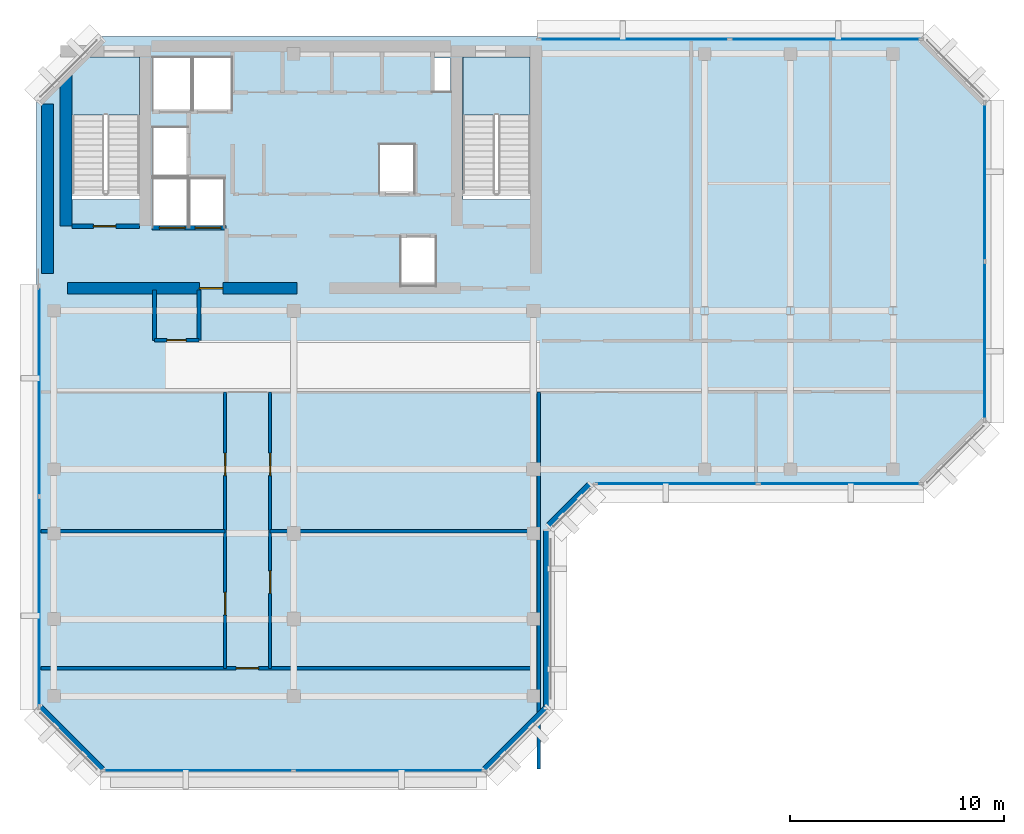
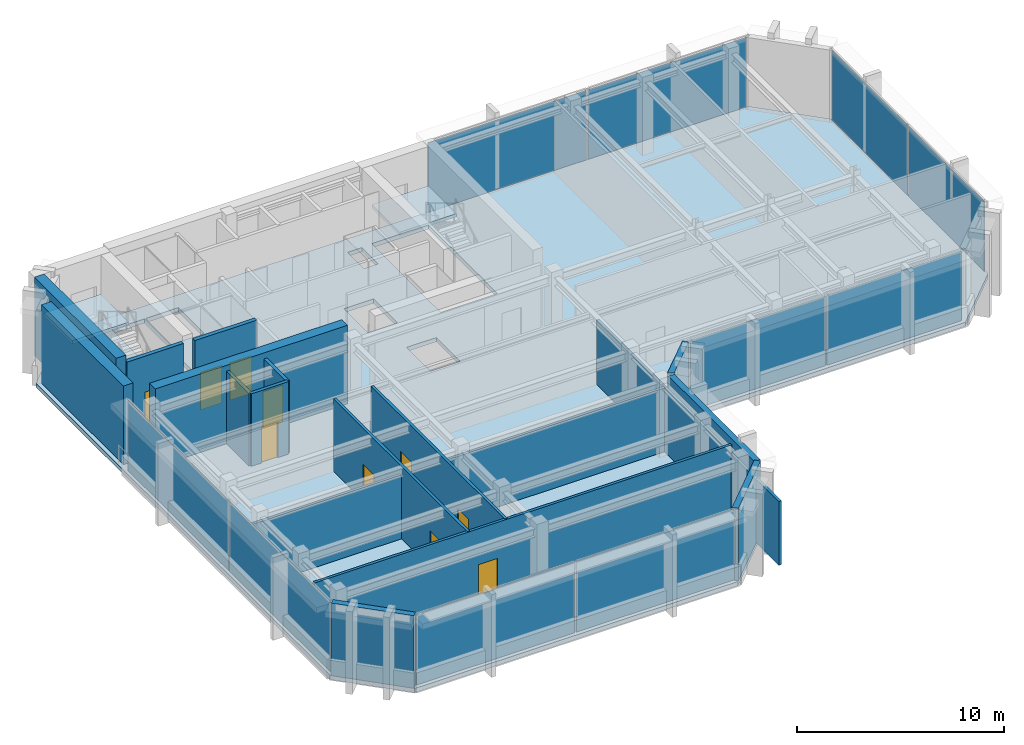
# One storey, part 4 of 9: 18 walls, 10 doors, 10 plates, 3 slabs, 10 openings, 7 elements without a shape of their own.
"""IFC4 building model written with IfcOpenShell, lengths in metres."""

from ifc_helpers import new_model, si_unit, direction, frame, frame_2d, origin, origin_2d, place, context, subcontext, project, spatial, polyline, rectangle, outline, extrude, material, layer, layer_set, type_object, element, fill, aggregate, save


model = new_model("IFC4")

# Units and contexts
model_context = context("Model", 3, precision=1e-05, world=origin(), true_north=direction((0.0, 1.0)))
body_context = subcontext(model_context, "Body", "Model", "MODEL_VIEW")
ifc_project = project(units=[si_unit("LENGTHUNIT", "METRE"), si_unit("AREAUNIT", "SQUARE_METRE"), si_unit("VOLUMEUNIT", "CUBIC_METRE"), si_unit("PLANEANGLEUNIT", "RADIAN"), si_unit("MASSUNIT", "GRAM", prefix="KILO")], contexts=[model_context])

# Site, building, storey
site_placement = place(None, origin())
site = spatial("IfcSite", under=ifc_project, at=site_placement, CompositionType="ELEMENT")
building_placement = place(site_placement, origin())
building = spatial("IfcBuilding", under=site, at=building_placement, Name="Kefirva Bronze Tower", CompositionType="ELEMENT")
storey_placement = place(building_placement, frame((0.0, 0.0, 361.35009765625)))
storey = spatial("IfcBuildingStorey", under=building, at=storey_placement, Name="L88", CompositionType="ELEMENT", Elevation=361.35009765625)

# Stair, slab
ifc_material_1 = material(Name="Concrete C40/50", Category="concrete")
stair_type = type_object("IfcStairType", Name="RC Dogleg Protected Stair 28R", PredefinedType="HALF_TURN_STAIR", material=ifc_material_1)
stair_1_placement = place(storey_placement, origin())
stair_1 = element("IfcStair", 1, at=stair_1_placement, inside=storey, type_object=stair_type, Name="L88 Protected Exit Stair 1", PredefinedType="HALF_TURN_STAIR")
ifc_layer_1 = layer(ifc_material_1, 0.199951171875, Name="Concrete C40/50")
ifc_layer_set_1 = layer_set([ifc_layer_1], Name="Concrete C40/50")
slab_type_1 = type_object("IfcSlabType", Name="RC Stair Landing Slab 200mm", PredefinedType="LANDING", material=ifc_layer_set_1)
slab_1_placement = place(storey_placement, frame((0.0, 0.0, 2.10986328125)))
slab_1 = element("IfcSlab", 2, at=slab_1_placement, type_object=slab_type_1, Name="ST-1 landing 1", PredefinedType="LANDING", context=body_context, shape_type="SweptSolid", body=[
    extrude(outline(polyline([(4.800048828125, 42.340087890625), (4.800048828125, 45.050048828125), (1.64990234375, 45.050048828125), (1.64990234375, 42.340087890625), (4.800048828125, 42.340087890625)])), origin(), (0.0, 0.0, 1.0), 0.199951171875),
])
aggregate(stair_1, [slab_1])

stair_2_placement = place(storey_placement, origin())
stair_2 = element("IfcStair", 3, at=stair_2_placement, inside=storey, type_object=stair_type, Name="L88 Protected Exit Stair 2", PredefinedType="HALF_TURN_STAIR")
slab_2_placement = place(storey_placement, frame((0.0, 0.0, 2.10986328125)))
slab_2 = element("IfcSlab", 4, at=slab_2_placement, type_object=slab_type_1, Name="ST-2 landing 1", PredefinedType="LANDING", context=body_context, shape_type="SweptSolid", body=[
    extrude(outline(polyline([(23.050048828125, 42.340087890625), (23.050048828125, 45.050048828125), (19.89990234375, 45.050048828125), (19.89990234375, 42.340087890625), (23.050048828125, 42.340087890625)])), origin(), (0.0, 0.0, 1.0), 0.199951171875),
])
aggregate(stair_2, [slab_2])

# Slab
ifc_layer_2 = layer(ifc_material_1, 0.25, Name="Concrete C40/50")
ifc_layer_set_2 = layer_set([ifc_layer_2], Name="Concrete C40/50")
slab_type_2 = type_object("IfcSlabType", Name="RC Tower Floor Slab 250mm", PredefinedType="FLOOR", material=ifc_layer_set_2)
slab_3_placement = place(storey_placement, frame((0.0, 0.0, -0.25)))
element("IfcSlab", 5, at=slab_3_placement, inside=storey, type_object=slab_type_2, Name="L88 Structural Floor Slab", PredefinedType="FLOOR", context=body_context, shape_type="SweptSolid", body=[
    extrude(outline(polyline([(0.0, 14.60009765625), (0.0, 43.0), (1.64990234375, 44.64990234375), (1.64990234375, 38.39990234375), (4.800048828125, 38.39990234375), (4.800048828125, 45.050048828125), (2.050048828125, 45.050048828125), (3.0, 46.0), (41.39990234375, 46.0), (44.39990234375, 43.0), (44.39990234375, 28.0), (41.39990234375, 25.0), (26.0, 25.0), (24.0, 23.0), (24.0, 14.60009765625), (21.0, 11.60009765625), (3.0, 11.60009765625), (0.0, 14.60009765625)]), holes=[polyline([(23.050048828125, 45.050048828125), (19.89990234375, 45.050048828125), (19.89990234375, 38.39990234375), (23.050048828125, 38.39990234375), (23.050048828125, 45.050048828125)]), polyline([(19.320068359375, 43.419921875), (19.320068359375, 45.0), (18.52001953125, 45.0), (18.52001953125, 43.419921875), (19.320068359375, 43.419921875)]), polyline([(18.64990234375, 36.64990234375), (17.0, 36.64990234375), (17.0, 34.35009765625), (18.64990234375, 34.35009765625), (18.64990234375, 36.64990234375)]), polyline([(17.64990234375, 38.679931640625), (17.64990234375, 40.97998046875), (16.0, 40.97998046875), (16.0, 38.679931640625), (17.64990234375, 38.679931640625)]), polyline([(9.1201171875, 42.550048828125), (9.1201171875, 45.050048828125), (7.300048828125, 45.050048828125), (7.300048828125, 42.550048828125), (9.1201171875, 42.550048828125)]), polyline([(8.780029296875, 39.39990234375), (7.139892578125, 39.39990234375), (7.139892578125, 37.10009765625), (8.780029296875, 37.10009765625), (8.780029296875, 39.39990234375)]), polyline([(7.239990234375, 45.050048828125), (5.419921875, 45.050048828125), (5.419921875, 42.550048828125), (7.239990234375, 42.550048828125), (7.239990234375, 45.050048828125)]), polyline([(7.06005859375, 39.47998046875), (7.06005859375, 41.780029296875), (5.419921875, 41.780029296875), (5.419921875, 39.47998046875), (7.06005859375, 39.47998046875)]), polyline([(7.06005859375, 39.39990234375), (5.419921875, 39.39990234375), (5.419921875, 37.10009765625), (7.06005859375, 37.10009765625), (7.06005859375, 39.39990234375)])]), origin(), (0.0, 0.0, 1.0), 0.25),
])

# Curtain wall, plates
ifc_material_2 = material(Name="Bronze anodised aluminium", Category="aluminium")
ifc_layer_3 = layer(ifc_material_2, 0.219970703125, Name="Bronze anodised aluminium")
ifc_layer_set_3 = layer_set([ifc_layer_3], Name="Bronze anodised aluminium")
curtain_wall_type = type_object("IfcCurtainWallType", Name="Slanted Crown Faceted Bronze Curtain Wall", PredefinedType="USERDEFINED", material=ifc_layer_set_3)
curtain_wall_1_placement = place(storey_placement, origin())
curtain_wall_1 = element("IfcCurtainWall", 6, at=curtain_wall_1_placement, inside=storey, type_object=curtain_wall_type, Name="L88 Curtain Wall 1", ObjectType="UNITISED CURTAIN WALL", PredefinedType="USERDEFINED")
ifc_material_3 = material(Name="Laminated low-E double glazing", Category="glass")
ifc_layer_4 = layer(ifc_material_3, 0.031982421875, Name="Laminated low-E double glazing")
ifc_layer_set_4 = layer_set([ifc_layer_4], Name="Laminated low-E double glazing")
plate_type = type_object("IfcPlateType", Name="Solar-Control Low-E Vision Panel 32mm", PredefinedType="CURTAIN_PANEL", material=ifc_layer_set_4)
plate_1_placement = place(storey_placement, frame((7.550048828125, 11.719970703125, 0.08984375), z_axis=(0.0, 0.0, 1.0), x_axis=(1.0, 0.0, 0.0)))
plate_1 = element("IfcPlate", 7, at=plate_1_placement, type_object=plate_type, Name="CW-07 panel 1.1", PredefinedType="CURTAIN_PANEL", context=body_context, shape_type="SweptSolid", body=[
    extrude(rectangle(XDim=8.81005859375, YDim=0.031982421875, at=origin_2d()), origin(), (0.0, 0.0, 1.0), 4.090087890625),
])
plate_2_placement = place(storey_placement, frame((16.449951171875, 11.719970703125, 0.08984375), z_axis=(0.0, 0.0, 1.0), x_axis=(1.0, 0.0, 0.0)))
plate_2 = element("IfcPlate", 8, at=plate_2_placement, type_object=plate_type, Name="CW-07 panel 2.1", PredefinedType="CURTAIN_PANEL", context=body_context, shape_type="SweptSolid", body=[
    extrude(rectangle(XDim=8.81005859375, YDim=0.031982421875, at=origin_2d()), origin(), (0.0, 0.0, 1.0), 4.090087890625),
])
aggregate(curtain_wall_1, [plate_1, plate_2])

curtain_wall_2_placement = place(storey_placement, origin())
curtain_wall_2 = element("IfcCurtainWall", 9, at=curtain_wall_2_placement, inside=storey, type_object=curtain_wall_type, Name="L88 Curtain Wall 2", ObjectType="UNITISED CURTAIN WALL", PredefinedType="USERDEFINED")
plate_3_placement = place(storey_placement, frame((29.89990234375, 25.1201171875, 0.08984375), z_axis=(0.0, 0.0, 1.0), x_axis=(1.0, 0.0, 0.0)))
plate_3 = element("IfcPlate", 10, at=plate_3_placement, type_object=plate_type, Name="CW-07 panel 1.1", PredefinedType="CURTAIN_PANEL", context=body_context, shape_type="SweptSolid", body=[
    extrude(rectangle(XDim=7.510009765625, YDim=0.031982421875, at=origin_2d()), origin(), (0.0, 0.0, 1.0), 4.090087890625),
])
plate_4_placement = place(storey_placement, frame((37.5, 25.1201171875, 0.08984375), z_axis=(0.0, 0.0, 1.0), x_axis=(1.0, 0.0, 0.0)))
plate_4 = element("IfcPlate", 11, at=plate_4_placement, type_object=plate_type, Name="CW-07 panel 2.1", PredefinedType="CURTAIN_PANEL", context=body_context, shape_type="SweptSolid", body=[
    extrude(rectangle(XDim=7.510009765625, YDim=0.031982421875, at=origin_2d()), origin(), (0.0, 0.0, 1.0), 4.090087890625),
])
aggregate(curtain_wall_2, [plate_3, plate_4])

curtain_wall_3_placement = place(storey_placement, origin())
curtain_wall_3 = element("IfcCurtainWall", 12, at=curtain_wall_3_placement, inside=storey, type_object=curtain_wall_type, Name="L88 Curtain Wall 3", ObjectType="UNITISED CURTAIN WALL", PredefinedType="USERDEFINED")
plate_5_placement = place(storey_placement, frame((44.280029296875, 31.800048828125, 0.08984375), z_axis=(0.0, 0.0, 1.0), x_axis=(0.0, 1.0, 0.0)))
plate_5 = element("IfcPlate", 13, at=plate_5_placement, type_object=plate_type, Name="CW-07 panel 1.1", PredefinedType="CURTAIN_PANEL", context=body_context, shape_type="SweptSolid", body=[
    extrude(rectangle(XDim=7.31005859375, YDim=0.031982421875, at=origin_2d()), origin(), (0.0, 0.0, 1.0), 4.090087890625),
])
plate_6_placement = place(storey_placement, frame((44.280029296875, 39.199951171875, 0.08984375), z_axis=(0.0, 0.0, 1.0), x_axis=(0.0, 1.0, 0.0)))
plate_6 = element("IfcPlate", 14, at=plate_6_placement, type_object=plate_type, Name="CW-07 panel 2.1", PredefinedType="CURTAIN_PANEL", context=body_context, shape_type="SweptSolid", body=[
    extrude(rectangle(XDim=7.31005859375, YDim=0.031982421875, at=origin_2d()), origin(), (0.0, 0.0, 1.0), 4.090087890625),
])
aggregate(curtain_wall_3, [plate_5, plate_6])

curtain_wall_4_placement = place(storey_placement, origin())
curtain_wall_4 = element("IfcCurtainWall", 15, at=curtain_wall_4_placement, inside=storey, type_object=curtain_wall_type, Name="L88 Curtain Wall 4", ObjectType="UNITISED CURTAIN WALL", PredefinedType="USERDEFINED")
plate_7_placement = place(storey_placement, frame((36.83740234375, 45.8798828125, 0.08984375), z_axis=(0.0, 0.0, 1.0), x_axis=(-1.0, 0.0, 0.0)))
plate_7 = element("IfcPlate", 16, at=plate_7_placement, type_object=plate_type, Name="CW-07 panel 1.1", PredefinedType="CURTAIN_PANEL", context=body_context, shape_type="SweptSolid", body=[
    extrude(rectangle(XDim=8.8349609375, YDim=0.031982421875, at=origin_2d()), origin(), (0.0, 0.0, 1.0), 4.090087890625),
])
plate_8_placement = place(storey_placement, frame((27.91259765625, 45.8798828125, 0.08984375), z_axis=(0.0, 0.0, 1.0), x_axis=(-1.0, 0.0, 0.0)))
plate_8 = element("IfcPlate", 17, at=plate_8_placement, type_object=plate_type, Name="CW-07 panel 2.1", PredefinedType="CURTAIN_PANEL", context=body_context, shape_type="SweptSolid", body=[
    extrude(rectangle(XDim=8.8349609375, YDim=0.031982421875, at=origin_2d()), origin(), (0.0, 0.0, 1.0), 4.090087890625),
])
aggregate(curtain_wall_4, [plate_7, plate_8])

curtain_wall_5_placement = place(storey_placement, origin())
curtain_wall_5 = element("IfcCurtainWall", 18, at=curtain_wall_5_placement, inside=storey, type_object=curtain_wall_type, Name="L88 Curtain Wall 5", ObjectType="UNITISED CURTAIN WALL", PredefinedType="USERDEFINED")
plate_9_placement = place(storey_placement, frame((0.1201171875, 29.4375, 0.08984375), z_axis=(0.0, 0.0, 1.0), x_axis=(0.0, -1.0, 0.0)))
plate_9 = element("IfcPlate", 19, at=plate_9_placement, type_object=plate_type, Name="CW-07 panel 1.1", PredefinedType="CURTAIN_PANEL", context=body_context, shape_type="SweptSolid", body=[
    extrude(rectangle(XDim=9.735107421875, YDim=0.031982421875, at=origin_2d()), origin(), (0.0, 0.0, 1.0), 4.090087890625),
])
plate_10_placement = place(storey_placement, frame((0.1201171875, 19.612548828125, 0.08984375), z_axis=(0.0, 0.0, 1.0), x_axis=(0.0, -1.0, 0.0)))
plate_10 = element("IfcPlate", 20, at=plate_10_placement, type_object=plate_type, Name="CW-07 panel 2.1", PredefinedType="CURTAIN_PANEL", context=body_context, shape_type="SweptSolid", body=[
    extrude(rectangle(XDim=9.735107421875, YDim=0.031982421875, at=origin_2d()), origin(), (0.0, 0.0, 1.0), 4.090087890625),
])
aggregate(curtain_wall_5, [plate_9, plate_10])

# Wall, openings, doors
ifc_material_4 = material(Name="Gypsum acoustic partition")
ifc_layer_5 = layer(ifc_material_4, 0.14990234375, Name="Gypsum acoustic partition")
ifc_layer_set_5 = layer_set([ifc_layer_5], Name="Gypsum acoustic partition")
wall_type_1 = type_object("IfcWallType", Name="Executive Suite Partition 150mm", PredefinedType="PARTITIONING", material=ifc_layer_set_5)
wall_1_placement = place(storey_placement, frame((8.800048828125, 16.5, 0.0), z_axis=(0.0, 0.0, 1.0), x_axis=(0.0, 1.0, 0.0)))
wall_1 = element("IfcWall", 21, at=wall_1_placement, inside=storey, type_object=wall_type_1, Name="L88 Partition W-L88-SMCW", PredefinedType="PARTITIONING", context=body_context, shape_type="SweptSolid", body=[
    extrude(rectangle(XDim=12.89990234375, YDim=0.14990234375, at=frame_2d((6.449951171875, 0.0))), origin(), (0.0, 0.0, 1.0), 4.27001953125),
])
opening_1_placement = place(wall_1_placement, frame((3.550048828125, 0.0, 0.0), z_axis=(0.0, 0.0, 1.0), x_axis=(-1.0, 0.0, 0.0)))
opening_1 = element("IfcOpeningElement", 22, at=opening_1_placement, cuts=wall_1, Name="Opening L88-D-SMW1", PredefinedType="OPENING", context=body_context, shape_type="SweptSolid", body=[
    extrude(rectangle(XDim=1.050048828125, YDim=2.14990234375, at=frame_2d((0.52490234375, 1.074951171875))), frame((0.0, 0.0849609375, 0.0), z_axis=(0.0, -1.0, 0.0), x_axis=(1.0, 0.0, 0.0)), (0.0, 0.0, 1.0), 0.169921875),
])
opening_2_placement = place(wall_1_placement, frame((10.050048828125, 0.0, 0.0), z_axis=(0.0, 0.0, 1.0), x_axis=(-1.0, 0.0, 0.0)))
opening_2 = element("IfcOpeningElement", 23, at=opening_2_placement, cuts=wall_1, Name="Opening L88-D-SMW2", PredefinedType="OPENING", context=body_context, shape_type="SweptSolid", body=[
    extrude(rectangle(XDim=1.050048828125, YDim=2.14990234375, at=frame_2d((0.52490234375, 1.074951171875))), frame((0.0, 0.0849609375, 0.0), z_axis=(0.0, -1.0, 0.0), x_axis=(1.0, 0.0, 0.0)), (0.0, 0.0, 1.0), 0.169921875),
])
ifc_material_5 = material(Name="Acoustic hardwood oak", Category="wood")
door_type_1 = type_object("IfcDoorType", Name="Executive & Boardroom Door 1050x2150", OperationType="NOTDEFINED", PredefinedType="DOOR", material=ifc_material_5)
door_1_placement = place(opening_1_placement, origin())
door_1 = element("IfcDoor", 24, at=door_1_placement, inside=storey, type_object=door_type_1, Name="Door L88-D-SMW1", OperationType="SINGLE_SWING_LEFT", OverallHeight=2.14990234375, OverallWidth=1.050048828125, PredefinedType="DOOR", context=body_context, shape_type="SweptSolid", body=[
    extrude(rectangle(XDim=1.050048828125, YDim=2.14990234375, at=frame_2d((0.52490234375, 1.074951171875))), frame((0.0, 0.02490234375, 0.0), z_axis=(0.0, -1.0, 0.0), x_axis=(1.0, 0.0, 0.0)), (0.0, 0.0, 1.0), 0.050048828125),
])
fill(opening_1, door_1)
door_2_placement = place(opening_2_placement, origin())
door_2 = element("IfcDoor", 25, at=door_2_placement, inside=storey, type_object=door_type_1, Name="Door L88-D-SMW2", OperationType="SINGLE_SWING_RIGHT", OverallHeight=2.14990234375, OverallWidth=1.050048828125, PredefinedType="DOOR", context=body_context, shape_type="SweptSolid", body=[
    extrude(rectangle(XDim=1.050048828125, YDim=2.14990234375, at=frame_2d((0.52490234375, 1.074951171875))), frame((0.0, 0.02490234375, 0.0), z_axis=(0.0, -1.0, 0.0), x_axis=(1.0, 0.0, 0.0)), (0.0, 0.0, 1.0), 0.050048828125),
])
fill(opening_2, door_2)

wall_2_placement = place(storey_placement, frame((10.89990234375, 16.5, 0.0), z_axis=(0.0, 0.0, 1.0), x_axis=(0.0, 1.0, 0.0)))
wall_2 = element("IfcWall", 26, at=wall_2_placement, inside=storey, type_object=wall_type_1, Name="L88 Partition W-L88-SMCE", PredefinedType="PARTITIONING", context=body_context, shape_type="SweptSolid", body=[
    extrude(rectangle(XDim=12.89990234375, YDim=0.14990234375, at=frame_2d((6.449951171875, 0.0))), origin(), (0.0, 0.0, 1.0), 4.27001953125),
])
opening_3_placement = place(wall_2_placement, frame((3.5, 0.0, 0.0)))
opening_3 = element("IfcOpeningElement", 27, at=opening_3_placement, cuts=wall_2, Name="Opening L88-D-SME1", PredefinedType="OPENING", context=body_context, shape_type="SweptSolid", body=[
    extrude(rectangle(XDim=1.050048828125, YDim=2.14990234375, at=frame_2d((0.52490234375, 1.074951171875))), frame((0.0, 0.0849609375, 0.0), z_axis=(0.0, -1.0, 0.0), x_axis=(1.0, 0.0, 0.0)), (0.0, 0.0, 1.0), 0.169921875),
])
opening_4_placement = place(wall_2_placement, frame((9.0, 0.0, 0.0)))
opening_4 = element("IfcOpeningElement", 28, at=opening_4_placement, cuts=wall_2, Name="Opening L88-D-SME2", PredefinedType="OPENING", context=body_context, shape_type="SweptSolid", body=[
    extrude(rectangle(XDim=1.050048828125, YDim=2.14990234375, at=frame_2d((0.52490234375, 1.074951171875))), frame((0.0, 0.0849609375, 0.0), z_axis=(0.0, -1.0, 0.0), x_axis=(1.0, 0.0, 0.0)), (0.0, 0.0, 1.0), 0.169921875),
])
door_3_placement = place(opening_3_placement, origin())
door_3 = element("IfcDoor", 29, at=door_3_placement, inside=storey, type_object=door_type_1, Name="Door L88-D-SME1", OperationType="SINGLE_SWING_LEFT", OverallHeight=2.14990234375, OverallWidth=1.050048828125, PredefinedType="DOOR", context=body_context, shape_type="SweptSolid", body=[
    extrude(rectangle(XDim=1.050048828125, YDim=2.14990234375, at=frame_2d((0.52490234375, 1.074951171875))), frame((0.0, 0.02490234375, 0.0), z_axis=(0.0, -1.0, 0.0), x_axis=(1.0, 0.0, 0.0)), (0.0, 0.0, 1.0), 0.050048828125),
])
fill(opening_3, door_3)
door_4_placement = place(opening_4_placement, origin())
door_4 = element("IfcDoor", 30, at=door_4_placement, inside=storey, type_object=door_type_1, Name="Door L88-D-SME2", OperationType="SINGLE_SWING_RIGHT", OverallHeight=2.14990234375, OverallWidth=1.050048828125, PredefinedType="DOOR", context=body_context, shape_type="SweptSolid", body=[
    extrude(rectangle(XDim=1.050048828125, YDim=2.14990234375, at=frame_2d((0.52490234375, 1.074951171875))), frame((0.0, 0.02490234375, 0.0), z_axis=(0.0, -1.0, 0.0), x_axis=(1.0, 0.0, 0.0)), (0.0, 0.0, 1.0), 0.050048828125),
])
fill(opening_4, door_4)

# Wall, opening, door
wall_3_placement = place(storey_placement, frame((0.18994140625, 16.5, 0.0), z_axis=(0.0, 0.0, 1.0), x_axis=(1.0, 0.0, 0.0)))
wall_3 = element("IfcWall", 31, at=wall_3_placement, inside=storey, type_object=wall_type_1, Name="L88 Partition W-L88-SMCS", PredefinedType="PARTITIONING", context=body_context, shape_type="SweptSolid", body=[
    extrude(rectangle(XDim=23.260009765625, YDim=0.14990234375, at=frame_2d((11.6298828125, 0.0))), origin(), (0.0, 0.0, 1.0), 4.27001953125),
])
opening_5_placement = place(wall_3_placement, frame((9.1298828125, 0.0, 0.0)))
opening_5 = element("IfcOpeningElement", 32, at=opening_5_placement, cuts=wall_3, Name="Opening L88-D-SMCAP", PredefinedType="OPENING", context=body_context, shape_type="SweptSolid", body=[
    extrude(rectangle(XDim=1.050048828125, YDim=2.14990234375, at=frame_2d((0.52490234375, 1.074951171875))), frame((0.0, 0.0849609375, 0.0), z_axis=(0.0, -1.0, 0.0), x_axis=(1.0, 0.0, 0.0)), (0.0, 0.0, 1.0), 0.169921875),
])
door_5_placement = place(opening_5_placement, origin())
door_5 = element("IfcDoor", 33, at=door_5_placement, inside=storey, type_object=door_type_1, Name="Door L88-D-SMCAP", OperationType="SINGLE_SWING_RIGHT", OverallHeight=2.14990234375, OverallWidth=1.050048828125, PredefinedType="DOOR", context=body_context, shape_type="SweptSolid", body=[
    extrude(rectangle(XDim=1.050048828125, YDim=2.14990234375, at=frame_2d((0.52490234375, 1.074951171875))), frame((0.0, 0.02490234375, 0.0), z_axis=(0.0, -1.0, 0.0), x_axis=(1.0, 0.0, 0.0)), (0.0, 0.0, 1.0), 0.050048828125),
])
fill(opening_5, door_5)

# Walls
wall_4_placement = place(storey_placement, frame((23.449951171875, 11.7900390625, 0.0), z_axis=(0.0, 0.0, 1.0), x_axis=(0.0, 1.0, 0.0)))
element("IfcWall", 34, at=wall_4_placement, inside=storey, type_object=wall_type_1, Name="L88 Partition W-L88-SMSWE", PredefinedType="PARTITIONING", context=body_context, shape_type="SweptSolid", body=[
    extrude(rectangle(XDim=17.60986328125, YDim=0.14990234375, at=frame_2d((8.804931640625, 0.0))), origin(), (0.0, 0.0, 1.0), 3.7548828125),
])
wall_5_placement = place(storey_placement, frame((0.18994140625, 22.89990234375, 0.0), z_axis=(0.0, 0.0, 1.0), x_axis=(1.0, 0.0, 0.0)))
element("IfcWall", 35, at=wall_5_placement, inside=storey, type_object=wall_type_1, Name="L88 Partition W-L88-SMWD", PredefinedType="PARTITIONING", context=body_context, shape_type="SweptSolid", body=[
    extrude(rectangle(XDim=8.610107421875, YDim=0.14990234375, at=frame_2d((4.30517578125, 0.0))), origin(), (0.0, 0.0, 1.0), 3.7548828125),
])
wall_6_placement = place(storey_placement, frame((10.89990234375, 22.89990234375, 0.0), z_axis=(0.0, 0.0, 1.0), x_axis=(1.0, 0.0, 0.0)))
element("IfcWall", 36, at=wall_6_placement, inside=storey, type_object=wall_type_1, Name="L88 Partition W-L88-SMED", PredefinedType="PARTITIONING", context=body_context, shape_type="SweptSolid", body=[
    extrude(rectangle(XDim=12.550048828125, YDim=0.14990234375, at=frame_2d((6.27490234375, 0.0))), origin(), (0.0, 0.0, 1.0), 3.7548828125),
])

# Wall, opening, door
ifc_material_6 = material(Name="Gypsum fireboard shaftwall")
ifc_layer_6 = layer(ifc_material_6, 0.219970703125, Name="Gypsum fireboard shaftwall")
ifc_layer_set_6 = layer_set([ifc_layer_6], Name="Gypsum fireboard shaftwall")
wall_type_2 = type_object("IfcWallType", Name="Fire-Rated Shaft Enclosure Wall 220mm", PredefinedType="PARTITIONING", material=ifc_layer_set_6)
wall_7_placement = place(storey_placement, frame((1.64990234375, 37.14990234375, 0.0), z_axis=(0.0, 0.0, 1.0), x_axis=(1.0, 0.0, 0.0)))
wall_7 = element("IfcWall", 37, at=wall_7_placement, inside=storey, type_object=wall_type_2, Name="L88 Partition W-L88-ST1S", PredefinedType="PARTITIONING", context=body_context, shape_type="SweptSolid", body=[
    extrude(rectangle(XDim=3.150146484375, YDim=0.219970703125, at=frame_2d((1.5751953125, 0.0))), origin(), (0.0, 0.0, 1.0), 4.27001953125),
])
opening_6_placement = place(wall_7_placement, frame((2.050048828125, 0.0, 0.0), z_axis=(0.0, 0.0, 1.0), x_axis=(-1.0, 0.0, 0.0)))
opening_6 = element("IfcOpeningElement", 38, at=opening_6_placement, cuts=wall_7, Name="Opening L88-D001", PredefinedType="OPENING", context=body_context, shape_type="SweptSolid", body=[
    extrude(rectangle(XDim=1.050048828125, YDim=2.14990234375, at=frame_2d((0.52490234375, 1.074951171875))), frame((0.0, 0.1201171875, 0.0), z_axis=(0.0, -1.0, 0.0), x_axis=(1.0, 0.0, 0.0)), (0.0, 0.0, 1.0), 0.239990234375),
])
ifc_material_7 = material(Name="Painted galvanized steel", Category="steel")
door_type_2 = type_object("IfcDoorType", Name="Fire Stair Enclosure Door 1050x2150 FD90S", OperationType="NOTDEFINED", PredefinedType="DOOR", material=ifc_material_7)
door_6_placement = place(opening_6_placement, origin())
door_6 = element("IfcDoor", 39, at=door_6_placement, inside=storey, type_object=door_type_2, Name="Door L88-D001", OperationType="SINGLE_SWING_RIGHT", OverallHeight=2.14990234375, OverallWidth=1.050048828125, PredefinedType="DOOR", context=body_context, shape_type="SweptSolid", body=[
    extrude(rectangle(XDim=1.050048828125, YDim=2.14990234375, at=frame_2d((0.52490234375, 1.074951171875))), frame((0.0, 0.02490234375, 0.0), z_axis=(0.0, -1.0, 0.0), x_axis=(1.0, 0.0, 0.0)), (0.0, 0.0, 1.0), 0.050048828125),
])
fill(opening_6, door_6)

# Wall, openings, doors
wall_8_placement = place(storey_placement, frame((5.3798828125, 37.080078125, 0.0), z_axis=(0.0, 0.0, 1.0), x_axis=(1.0, 0.0, 0.0)))
wall_8 = element("IfcWall", 40, at=wall_8_placement, inside=storey, type_object=wall_type_2, Name="L88 Partition W-L88-FFS", PredefinedType="PARTITIONING", context=body_context, shape_type="SweptSolid", body=[
    extrude(rectangle(XDim=3.460205078125, YDim=0.219970703125, at=frame_2d((1.72998046875, 0.0))), origin(), (0.0, 0.0, 1.0), 4.27001953125),
])
opening_7_placement = place(wall_8_placement, frame((1.550048828125, 0.0, 0.0), z_axis=(0.0, 0.0, 1.0), x_axis=(-1.0, 0.0, 0.0)))
opening_7 = element("IfcOpeningElement", 41, at=opening_7_placement, cuts=wall_8, Name="Opening L88-LD-FF1", PredefinedType="OPENING", context=body_context, shape_type="SweptSolid", body=[
    extrude(rectangle(XDim=1.199951171875, YDim=2.199951171875, at=frame_2d((0.60009765625, 1.10009765625))), frame((0.0, 0.1201171875, 0.0), z_axis=(0.0, -1.0, 0.0), x_axis=(1.0, 0.0, 0.0)), (0.0, 0.0, 1.0), 0.239990234375),
])
opening_8_placement = place(wall_8_placement, frame((3.219970703125, 0.0, 0.0), z_axis=(0.0, 0.0, 1.0), x_axis=(-1.0, 0.0, 0.0)))
opening_8 = element("IfcOpeningElement", 42, at=opening_8_placement, cuts=wall_8, Name="Opening L88-LD-FF2", PredefinedType="OPENING", context=body_context, shape_type="SweptSolid", body=[
    extrude(rectangle(XDim=1.199951171875, YDim=2.199951171875, at=frame_2d((0.60009765625, 1.10009765625))), frame((0.0, 0.1201171875, 0.0), z_axis=(0.0, -1.0, 0.0), x_axis=(1.0, 0.0, 0.0)), (0.0, 0.0, 1.0), 0.239990234375),
])
ifc_material_8 = material(Name="Stainless steel 316", Category="steel")
door_type_3 = type_object("IfcDoorType", Name="Firefighting Lift Sliding Door 1200x2200", OperationType="SLIDING_TO_RIGHT", PredefinedType="DOOR", material=ifc_material_8)
door_7_placement = place(opening_7_placement, origin())
door_7 = element("IfcDoor", 43, at=door_7_placement, inside=storey, type_object=door_type_3, Name="Door L88-LD-FF1", OperationType="SLIDING_TO_RIGHT", OverallHeight=2.199951171875, OverallWidth=1.199951171875, PredefinedType="DOOR", context=body_context, shape_type="SweptSolid", body=[
    extrude(rectangle(XDim=1.199951171875, YDim=2.199951171875, at=frame_2d((0.60009765625, 1.10009765625))), frame((0.0, 0.02490234375, 0.0), z_axis=(0.0, -1.0, 0.0), x_axis=(1.0, 0.0, 0.0)), (0.0, 0.0, 1.0), 0.050048828125),
])
fill(opening_7, door_7)
door_8_placement = place(opening_8_placement, origin())
door_8 = element("IfcDoor", 44, at=door_8_placement, inside=storey, type_object=door_type_3, Name="Door L88-LD-FF2", OperationType="SLIDING_TO_RIGHT", OverallHeight=2.199951171875, OverallWidth=1.199951171875, PredefinedType="DOOR", context=body_context, shape_type="SweptSolid", body=[
    extrude(rectangle(XDim=1.199951171875, YDim=2.199951171875, at=frame_2d((0.60009765625, 1.10009765625))), frame((0.0, 0.02490234375, 0.0), z_axis=(0.0, -1.0, 0.0), x_axis=(1.0, 0.0, 0.0)), (0.0, 0.0, 1.0), 0.050048828125),
])
fill(opening_8, door_8)

# Walls
ifc_material_9 = material(Name="Precast concrete C40/50", Category="concrete")
ifc_layer_7 = layer(ifc_material_9, 0.320068359375, Name="Precast concrete C40/50")
ifc_layer_set_7 = layer_set([ifc_layer_7], Name="Precast concrete C40/50")
wall_type_3 = type_object("IfcWallType", Name="Precast Insulated Exterior Wall 320mm", PredefinedType="SOLIDWALL", material=ifc_layer_set_7)
wall_9_placement = place(storey_placement, frame((20.92578125, 11.751953125, 0.0), z_axis=(0.0, 0.0, 1.0), x_axis=(0.707077242712, 0.707136318428, 0.0)))
element("IfcWall", 45, at=wall_9_placement, inside=storey, type_object=wall_type_3, Name="L88 Exterior Facade Wall 1", PredefinedType="SOLIDWALL", context=body_context, shape_type="SweptSolid", body=[
    extrude(rectangle(XDim=4.132568359375, YDim=0.320068359375, at=frame_2d((2.06640625, 0.0))), origin(), (0.0, 0.0, 1.0), 4.27001953125),
])
wall_10_placement = place(storey_placement, frame((23.840087890625, 14.655029296875, 0.0), z_axis=(0.0, 0.0, 1.0), x_axis=(0.0, 1.0, 0.0)))
element("IfcWall", 46, at=wall_10_placement, inside=storey, type_object=wall_type_3, Name="L88 Exterior Facade Wall 2", PredefinedType="SOLIDWALL", context=body_context, shape_type="SweptSolid", body=[
    extrude(rectangle(XDim=8.2900390625, YDim=0.320068359375, at=frame_2d((4.14501953125, 0.0))), origin(), (0.0, 0.0, 1.0), 4.27001953125),
])
wall_11_placement = place(storey_placement, frame((23.92578125, 23.152099609375, 0.0), z_axis=(0.0, 0.0, 1.0), x_axis=(0.707106781187, 0.707106781187, 0.0)))
element("IfcWall", 47, at=wall_11_placement, inside=storey, type_object=wall_type_3, Name="L88 Exterior Facade Wall 3", PredefinedType="SOLIDWALL", context=body_context, shape_type="SweptSolid", body=[
    extrude(rectangle(XDim=2.71826171875, YDim=0.320068359375, at=frame_2d((1.359130859375, 0.0))), origin(), (0.0, 0.0, 1.0), 4.27001953125),
])
wall_12_placement = place(storey_placement, frame((0.152099609375, 14.67431640625, 0.0), z_axis=(0.0, 0.0, 1.0), x_axis=(0.707077242712, -0.707136318428, 0.0)))
element("IfcWall", 48, at=wall_12_placement, inside=storey, type_object=wall_type_3, Name="L88 Exterior Facade Wall 7", PredefinedType="SOLIDWALL", context=body_context, shape_type="SweptSolid", body=[
    extrude(rectangle(XDim=4.132568359375, YDim=0.320068359375, at=frame_2d((2.06640625, 0.0))), origin(), (0.0, 0.0, 1.0), 4.27001953125),
])
ifc_material_10 = material(Name="Concrete C50/60", Category="concrete")
ifc_layer_8 = layer(ifc_material_10, 0.550048828125, Name="Concrete C50/60")
ifc_layer_set_8 = layer_set([ifc_layer_8], Name="Concrete C50/60")
wall_type_4 = type_object("IfcWallType", Name="RC Rear Core Exterior Wall 550mm", PredefinedType="SHEAR", material=ifc_layer_set_8)
wall_13_placement = place(storey_placement, frame((0.5, 34.949951171875, 0.0), z_axis=(0.0, 0.0, 1.0), x_axis=(0.0, 1.0, 0.0)))
element("IfcWall", 49, at=wall_13_placement, inside=storey, type_object=wall_type_4, Name="L88 Rear Core West Shear Wall", PredefinedType="SHEAR", context=body_context, shape_type="SweptSolid", body=[
    extrude(rectangle(XDim=7.900146484375, YDim=0.550048828125, at=frame_2d((3.9501953125, 0.0))), origin(), (0.0, 0.0, 1.0), 4.619873046875),
])

# Wall, opening, door
ifc_layer_9 = layer(ifc_material_10, 0.550048828125, Name="Concrete C50/60")
ifc_layer_set_9 = layer_set([ifc_layer_9], Name="Concrete C50/60")
wall_type_5 = type_object("IfcWallType", Name="RC Rear Core Interior Wall 550mm", PredefinedType="SHEAR", material=ifc_layer_set_9)
wall_14_placement = place(storey_placement, frame((1.449951171875, 34.25, 0.0), z_axis=(0.0, 0.0, 1.0), x_axis=(1.0, 0.0, 0.0)))
wall_14 = element("IfcWall", 50, at=wall_14_placement, inside=storey, type_object=wall_type_5, Name="L88 Rear Core South-West Shear Wall", PredefinedType="SHEAR", context=body_context, shape_type="SweptSolid", body=[
    extrude(rectangle(XDim=10.7099609375, YDim=0.550048828125, at=frame_2d((5.35498046875, 0.0))), origin(), (0.0, 0.0, 1.0), 4.619873046875),
])
opening_9_placement = place(wall_14_placement, frame((7.25, 0.0, 0.0), z_axis=(0.0, 0.0, 1.0), x_axis=(-1.0, 0.0, 0.0)))
opening_9 = element("IfcOpeningElement", 51, at=opening_9_placement, cuts=wall_14, Name="Opening L88-D002", PredefinedType="OPENING", context=body_context, shape_type="SweptSolid", body=[
    extrude(rectangle(XDim=1.10009765625, YDim=2.14990234375, at=frame_2d((0.550048828125, 1.074951171875))), frame((0.0, 0.28515625, 0.0), z_axis=(0.0, -1.0, 0.0), x_axis=(1.0, 0.0, 0.0)), (0.0, 0.0, 1.0), 0.570068359375),
])
door_type_4 = type_object("IfcDoorType", Name="Firefighting Lobby Smoke Door 1100x2150 FD60S", OperationType="NOTDEFINED", PredefinedType="DOOR", material=ifc_material_7)
door_9_placement = place(opening_9_placement, origin())
door_9 = element("IfcDoor", 52, at=door_9_placement, inside=storey, type_object=door_type_4, Name="Door L88-D002", OperationType="SINGLE_SWING_LEFT", OverallHeight=2.14990234375, OverallWidth=1.10009765625, PredefinedType="DOOR", context=body_context, shape_type="SweptSolid", body=[
    extrude(rectangle(XDim=1.10009765625, YDim=2.14990234375, at=frame_2d((0.550048828125, 1.074951171875))), frame((0.0, 0.02490234375, 0.0), z_axis=(0.0, -1.0, 0.0), x_axis=(1.0, 0.0, 0.0)), (0.0, 0.0, 1.0), 0.050048828125),
])
fill(opening_9, door_9)

# Wall
wall_15_placement = place(storey_placement, frame((1.3701171875, 37.14990234375, 0.0), z_axis=(0.0, 0.0, 1.0), x_axis=(0.0, 1.0, 0.0)))
element("IfcWall", 53, at=wall_15_placement, inside=storey, type_object=wall_type_5, Name="L88 Stair 1 West Shear Wall", PredefinedType="SHEAR", context=body_context, shape_type="SweptSolid", body=[
    extrude(rectangle(XDim=7.89013671875, YDim=0.550048828125, at=frame_2d((3.945068359375, 0.0))), origin(), (0.0, 0.0, 1.0), 4.619873046875),
])

# Wall, opening, door
ifc_material_11 = material(Name="Moisture-resistant partition")
ifc_layer_10 = layer(ifc_material_11, 0.179931640625, Name="Moisture-resistant partition")
ifc_layer_set_10 = layer_set([ifc_layer_10], Name="Moisture-resistant partition")
wall_type_6 = type_object("IfcWallType", Name="Sanitary Plumbing Chase Wall 180mm", PredefinedType="PLUMBINGWALL", material=ifc_layer_set_10)
wall_16_placement = place(storey_placement, frame((5.5, 31.820068359375, 0.0), z_axis=(0.0, 0.0, 1.0), x_axis=(1.0, 0.0, 0.0)))
wall_16 = element("IfcWall", 54, at=wall_16_placement, inside=storey, type_object=wall_type_6, Name="L88 Partition W-L88-TCS", PredefinedType="PLUMBINGWALL", context=body_context, shape_type="SweptSolid", body=[
    extrude(rectangle(XDim=2.080078125, YDim=0.179931640625, at=frame_2d((1.0400390625, 0.0))), origin(), (0.0, 0.0, 1.0), 4.27001953125),
])
opening_10_placement = place(wall_16_placement, frame((1.47998046875, 0.0, 0.0), z_axis=(0.0, 0.0, 1.0), x_axis=(-1.0, 0.0, 0.0)))
opening_10 = element("IfcOpeningElement", 55, at=opening_10_placement, cuts=wall_16, Name="Opening L88-D-TCL1", PredefinedType="OPENING", context=body_context, shape_type="SweptSolid", body=[
    extrude(rectangle(XDim=0.89990234375, YDim=2.10009765625, at=frame_2d((0.449951171875, 1.050048828125))), frame((0.0, 0.10009765625, 0.0), z_axis=(0.0, -1.0, 0.0), x_axis=(1.0, 0.0, 0.0)), (0.0, 0.0, 1.0), 0.199951171875),
])
door_type_5 = type_object("IfcDoorType", Name="Telecom & Meter Fire Door 900x2100 FD60S", OperationType="NOTDEFINED", PredefinedType="DOOR", material=ifc_material_7)
door_10_placement = place(opening_10_placement, origin())
door_10 = element("IfcDoor", 56, at=door_10_placement, inside=storey, type_object=door_type_5, Name="Door L88-D-TCL1", OperationType="SINGLE_SWING_LEFT", OverallHeight=2.10009765625, OverallWidth=0.89990234375, PredefinedType="DOOR", context=body_context, shape_type="SweptSolid", body=[
    extrude(rectangle(XDim=0.89990234375, YDim=2.10009765625, at=frame_2d((0.449951171875, 1.050048828125))), frame((0.0, 0.02490234375, 0.0), z_axis=(0.0, -1.0, 0.0), x_axis=(1.0, 0.0, 0.0)), (0.0, 0.0, 1.0), 0.050048828125),
])
fill(opening_10, door_10)

# Walls
for number, where, z_axis, x_axis, name in (
    (57, (7.580078125, 31.820068359375, 0.0), (0.0, 0.0, 1.0), (0.0, 1.0, 0.0), "L88 Partition W-L88-TCE"),
    (58, (5.5, 31.820068359375, 0.0), (0.0, 0.0, 1.0), (0.0, 1.0, 0.0), "L88 Partition W-L88-TCW"),
):
    element("IfcWall", number, at=place(storey_placement, frame(where, z_axis=z_axis, x_axis=x_axis)), inside=storey, type_object=wall_type_6, Name=name, PredefinedType="PLUMBINGWALL", context=body_context, shape_type="SweptSolid", body=[
        extrude(rectangle(XDim=2.35986328125, YDim=0.179931640625, at=frame_2d((1.179931640625, 0.0))), origin(), (0.0, 0.0, 1.0), 4.27001953125),
    ])

save(model, "model.ifc")
